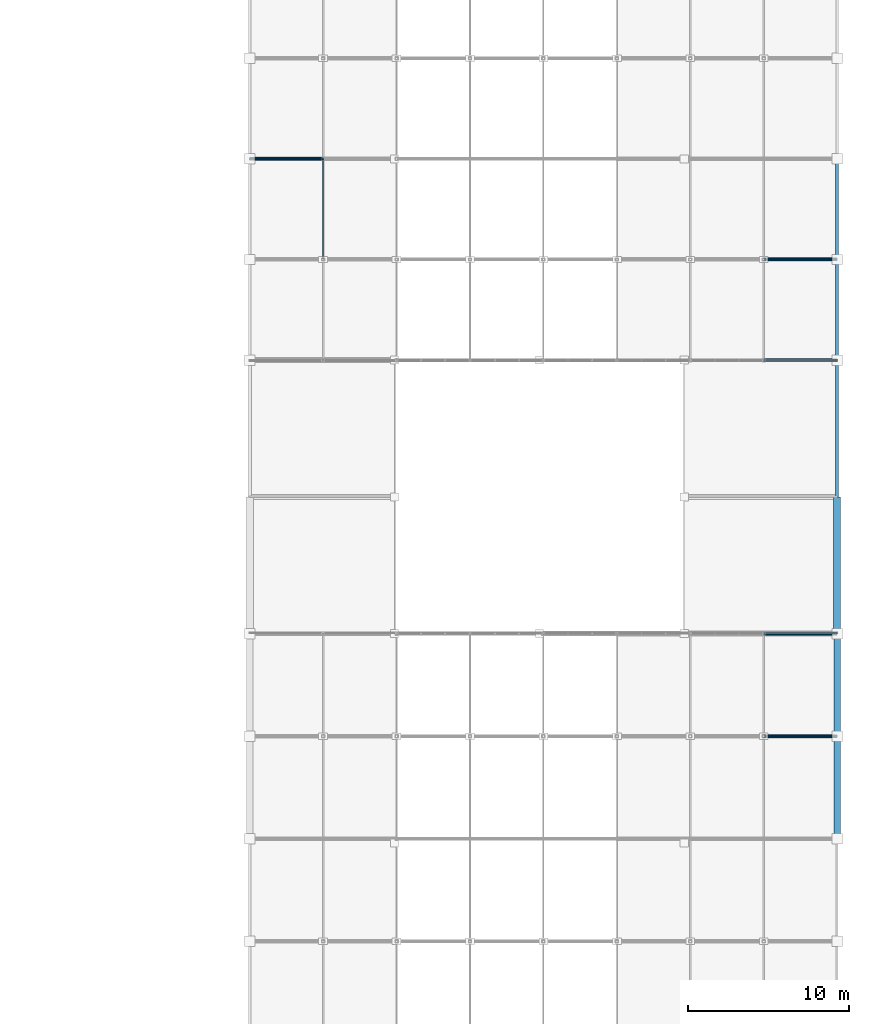
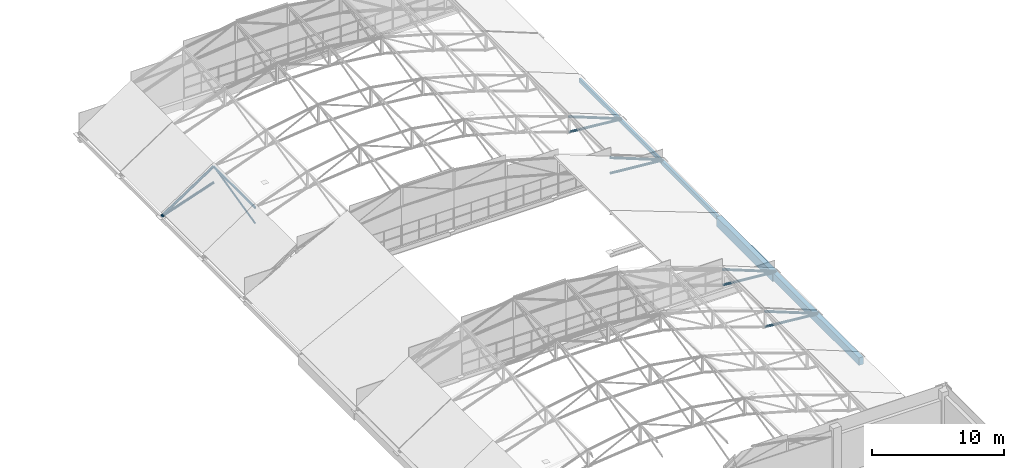
# One storey, part 68 of 101: 12 members, 4 beams.
"""IFC4 building model written with IfcOpenShell, lengths in metres."""

from ifc_helpers import new_model, si_unit, direction, frame, origin, origin_2d, place, context, subcontext, project, spatial, rectangle, hollow_rectangle, hollow_circle, extrude, material, material_profile, profile_set, type_object, element, save


model = new_model("IFC4")

# Units and contexts
model_context = context("Model", 3, precision=1e-05, world=origin(), true_north=direction((0.0, 1.0)))
body_context = subcontext(model_context, "Body", "Model", "MODEL_VIEW")
ifc_project = project(units=[si_unit("LENGTHUNIT", "METRE"), si_unit("AREAUNIT", "SQUARE_METRE"), si_unit("VOLUMEUNIT", "CUBIC_METRE"), si_unit("PLANEANGLEUNIT", "RADIAN"), si_unit("MASSUNIT", "GRAM", prefix="KILO")], contexts=[model_context])

# Site, building, storey
site_placement = place(None, origin())
site = spatial("IfcSite", under=ifc_project, at=site_placement, CompositionType="ELEMENT")
building_placement = place(site_placement, origin())
building = spatial("IfcBuilding", under=site, at=building_placement, Name="Solvikara Media Centre", CompositionType="ELEMENT")
storey_placement = place(building_placement, frame((0.0, 0.0, 10.199951171875)))
storey = spatial("IfcBuildingStorey", under=building, at=storey_placement, Name="L02", CompositionType="ELEMENT", Elevation=10.199951171875)

# Beams
ifc_material_1 = material(Name="Concrete fc' 35 MPa (C35/45)", Category="concrete")
ifc_material_profile_1 = material_profile(ifc_material_1, rectangle(XDim=0.39990234375, YDim=0.699951171875, at=origin_2d()), Name="RC 400x700")
ifc_profile_set_1 = profile_set([ifc_material_profile_1], Name="Concrete fc' 35 MPa (C35/45)")
beam_type_1 = type_object("IfcBeamType", Name="BM-13", PredefinedType="SPANDREL", material=ifc_profile_set_1)
beam_1_placement = place(storey_placement, frame((164.0, 59.0, -0.449951171875), z_axis=(0.0, 1.0, 0.0), x_axis=(-1.0, 0.0, 0.0)))
element("IfcBeam", 1, at=beam_1_placement, inside=storey, type_object=beam_type_1, Name="B-L02-Y1001", PredefinedType="SPANDREL", context=body_context, shape_type="SweptSolid", body=[
    extrude(rectangle(XDim=0.39990234375, YDim=0.699951171875, at=origin_2d()), origin(), (0.0, 0.0, 1.0), 13.0),
])
ifc_material_profile_2 = material_profile(ifc_material_1, rectangle(XDim=0.449951171875, YDim=0.85009765625, at=origin_2d()), Name="RC 450x850")
ifc_profile_set_2 = profile_set([ifc_material_profile_2], Name="Concrete fc' 35 MPa (C35/45)")
beam_type_2 = type_object("IfcBeamType", Name="BM-14", PredefinedType="SPANDREL", material=ifc_profile_set_2)
beam_2_placement = place(storey_placement, frame((164.0, 72.0, -0.52490234375), z_axis=(0.0, 1.0, 0.0), x_axis=(-1.0, 0.0, 0.0)))
element("IfcBeam", 2, at=beam_2_placement, inside=storey, type_object=beam_type_2, Name="B-L02-Y1002", PredefinedType="SPANDREL", context=body_context, shape_type="SweptSolid", body=[
    extrude(rectangle(XDim=0.449951171875, YDim=0.85009765625, at=origin_2d()), origin(), (0.0, 0.0, 1.0), 8.5),
])
ifc_material_2 = material(Name="Steel S355JR", Category="steel")
ifc_material_profile_3 = material_profile(ifc_material_2, hollow_rectangle(XDim=0.199951171875, YDim=0.39990234375, WallThickness=0.011962890625, at=origin_2d()), Name="RHS 400x200x12")
ifc_profile_set_3 = profile_set([ifc_material_profile_3], Name="Steel S355JR")
beam_type_3 = type_object("IfcBeamType", Name="BM-33", PredefinedType="SPANDREL", material=ifc_profile_set_3)
beam_3_placement = place(storey_placement, frame((164.0, 80.5, -0.300048828125), z_axis=(0.0, 1.0, 0.0), x_axis=(-1.0, 0.0, 0.0)))
element("IfcBeam", 3, at=beam_3_placement, inside=storey, type_object=beam_type_3, Name="B-L02-Y1003", PredefinedType="SPANDREL", context=body_context, shape_type="SweptSolid", body=[
    extrude(hollow_rectangle(XDim=0.199951171875, YDim=0.39990234375, WallThickness=0.011962890625, at=origin_2d()), origin(), (0.0, 0.0, 1.0), 8.5),
])
ifc_material_profile_4 = material_profile(ifc_material_2, hollow_rectangle(XDim=0.175048828125, YDim=0.35009765625, WallThickness=0.010009765625, at=origin_2d()), Name="RHS 350x175x10")
ifc_profile_set_4 = profile_set([ifc_material_profile_4], Name="Steel S355JR")
beam_type_4 = type_object("IfcBeamType", Name="BM-34", PredefinedType="SPANDREL", material=ifc_profile_set_4)
beam_4_placement = place(storey_placement, frame((164.0, 89.0, -0.27490234375), z_axis=(0.0, 1.0, 0.0), x_axis=(-1.0, 0.0, 0.0)))
element("IfcBeam", 4, at=beam_4_placement, inside=storey, type_object=beam_type_4, Name="B-L02-Y1004", PredefinedType="SPANDREL", context=body_context, shape_type="SweptSolid", body=[
    extrude(hollow_rectangle(XDim=0.175048828125, YDim=0.35009765625, WallThickness=0.010009765625, at=origin_2d()), origin(), (0.0, 0.0, 1.0), 12.5),
])

# Members
ifc_material_profile_5 = material_profile(ifc_material_2, hollow_circle(Radius=0.109619140625, WallThickness=0.008056640625, at=origin_2d()), Name="CHS 219.1x8")
ifc_profile_set_5 = profile_set([ifc_material_profile_5], Name="Steel S355JR")
member_type_1 = type_object("IfcMemberType", Name="MB-05", PredefinedType="CHORD", material=ifc_profile_set_5)
member_1_placement = place(storey_placement, frame((159.43798828125, 65.625, 1.72412109375), z_axis=(0.930767233936, 0.0, -0.365612303173), x_axis=(0.0, 1.0, 0.0)))
element("IfcMember", 5, at=member_1_placement, inside=storey, type_object=member_type_1, Name="BSA-TC-03-07", PredefinedType="CHORD", context=body_context, shape_type="SweptSolid", body=[
    extrude(hollow_circle(Radius=0.109619140625, WallThickness=0.008056640625, at=origin_2d()), origin(), (0.0, 0.0, 1.0), 4.9013671875),
])
member_2_placement = place(storey_placement, frame((159.43798828125, 65.625, 0.300048828125), z_axis=(0.996179932838, 0.0, -0.087324346034), x_axis=(0.0, 1.0, 0.0)))
element("IfcMember", 6, at=member_2_placement, inside=storey, type_object=member_type_1, Name="BSA-BC-03-07", PredefinedType="CHORD", context=body_context, shape_type="SweptSolid", body=[
    extrude(hollow_circle(Radius=0.109619140625, WallThickness=0.008056640625, at=origin_2d()), origin(), (0.0, 0.0, 1.0), 4.57958984375),
])
member_3_placement = place(storey_placement, frame((159.43798828125, 72.0, 1.72412109375), z_axis=(0.930767233936, 0.0, -0.365612303173), x_axis=(0.0, 1.0, 0.0)))
element("IfcMember", 7, at=member_3_placement, inside=storey, type_object=member_type_1, Name="BSA-TC-04-07", PredefinedType="CHORD", context=body_context, shape_type="SweptSolid", body=[
    extrude(hollow_circle(Radius=0.109619140625, WallThickness=0.008056640625, at=origin_2d()), origin(), (0.0, 0.0, 1.0), 4.9013671875),
])
member_4_placement = place(storey_placement, frame((159.43798828125, 72.0, 0.300048828125), z_axis=(0.996179932838, 0.0, -0.087324346034), x_axis=(0.0, 1.0, 0.0)))
element("IfcMember", 8, at=member_4_placement, inside=storey, type_object=member_type_1, Name="BSA-BC-04-07", PredefinedType="CHORD", context=body_context, shape_type="SweptSolid", body=[
    extrude(hollow_circle(Radius=0.109619140625, WallThickness=0.008056640625, at=origin_2d()), origin(), (0.0, 0.0, 1.0), 4.57958984375),
])
member_5_placement = place(storey_placement, frame((159.43798828125, 89.0, 1.72412109375), z_axis=(0.930767233936, 0.0, -0.365612303173), x_axis=(0.0, 1.0, 0.0)))
element("IfcMember", 9, at=member_5_placement, inside=storey, type_object=member_type_1, Name="BSB-TC-00-07", PredefinedType="CHORD", context=body_context, shape_type="SweptSolid", body=[
    extrude(hollow_circle(Radius=0.109619140625, WallThickness=0.008056640625, at=origin_2d()), origin(), (0.0, 0.0, 1.0), 4.9013671875),
])
member_6_placement = place(storey_placement, frame((159.43798828125, 89.0, 0.300048828125), z_axis=(0.996179932838, 0.0, -0.087324346034), x_axis=(0.0, 1.0, 0.0)))
element("IfcMember", 10, at=member_6_placement, inside=storey, type_object=member_type_1, Name="BSB-BC-00-07", PredefinedType="CHORD", context=body_context, shape_type="SweptSolid", body=[
    extrude(hollow_circle(Radius=0.109619140625, WallThickness=0.008056640625, at=origin_2d()), origin(), (0.0, 0.0, 1.0), 4.57958984375),
])
member_7_placement = place(storey_placement, frame((159.43798828125, 95.25, 1.72412109375), z_axis=(0.930767233936, 0.0, -0.365612303173), x_axis=(0.0, 1.0, 0.0)))
element("IfcMember", 11, at=member_7_placement, inside=storey, type_object=member_type_1, Name="BSB-TC-01-07", PredefinedType="CHORD", context=body_context, shape_type="SweptSolid", body=[
    extrude(hollow_circle(Radius=0.109619140625, WallThickness=0.008056640625, at=origin_2d()), origin(), (0.0, 0.0, 1.0), 4.9013671875),
])
member_8_placement = place(storey_placement, frame((159.43798828125, 95.25, 0.300048828125), z_axis=(0.996179932838, 0.0, -0.087324346034), x_axis=(0.0, 1.0, 0.0)))
element("IfcMember", 12, at=member_8_placement, inside=storey, type_object=member_type_1, Name="BSB-BC-01-07", PredefinedType="CHORD", context=body_context, shape_type="SweptSolid", body=[
    extrude(hollow_circle(Radius=0.109619140625, WallThickness=0.008056640625, at=origin_2d()), origin(), (0.0, 0.0, 1.0), 4.57958984375),
])
member_9_placement = place(storey_placement, frame((127.5, 101.5, -0.06787109375), z_axis=(0.83335162007, 0.0, 0.55274322911), x_axis=(0.0, 1.0, 0.0)))
element("IfcMember", 13, at=member_9_placement, inside=storey, type_object=member_type_1, Name="BSB-TC-02-00", PredefinedType="CHORD", context=body_context, shape_type="SweptSolid", body=[
    extrude(hollow_circle(Radius=0.109619140625, WallThickness=0.008056640625, at=origin_2d()), origin(), (0.0, 0.0, 1.0), 5.474365234375),
])
member_10_placement = place(storey_placement, frame((127.5, 101.5, -0.099853515625), z_axis=(0.946343434254, 0.0, 0.323162659423), x_axis=(0.0, 1.0, 0.0)))
element("IfcMember", 14, at=member_10_placement, inside=storey, type_object=member_type_1, Name="BSB-BC-02-00", PredefinedType="CHORD", context=body_context, shape_type="SweptSolid", body=[
    extrude(hollow_circle(Radius=0.109619140625, WallThickness=0.008056640625, at=origin_2d()), origin(), (0.0, 0.0, 1.0), 4.820556640625),
])
ifc_material_profile_6 = material_profile(ifc_material_2, hollow_rectangle(XDim=0.10009765625, YDim=0.179931640625, WallThickness=0.0048828125, at=origin_2d()), Name="RHS 180x100x5")
ifc_profile_set_6 = profile_set([ifc_material_profile_6], Name="Steel S355JR")
member_type_2 = type_object("IfcMemberType", Name="MB-18", PredefinedType="PURLIN", material=ifc_profile_set_6)
member_11_placement = place(storey_placement, frame((132.06201171875, 95.25, 2.89306640625), z_axis=(0.0, 1.0, 0.0), x_axis=(-1.0, 0.0, 0.0)))
element("IfcMember", 15, at=member_11_placement, inside=storey, type_object=member_type_2, Name="BSB-PRL-01-01", PredefinedType="PURLIN", context=body_context, shape_type="SweptSolid", body=[
    extrude(hollow_rectangle(XDim=0.10009765625, YDim=0.179931640625, WallThickness=0.0048828125, at=origin_2d()), origin(), (0.0, 0.0, 1.0), 6.25),
])
ifc_material_profile_7 = material_profile(ifc_material_2, hollow_rectangle(XDim=0.080078125, YDim=0.14990234375, WallThickness=0.0048828125, at=origin_2d()), Name="RHS 150x80x5")
ifc_profile_set_7 = profile_set([ifc_material_profile_7], Name="Steel S355JR")
member_type_3 = type_object("IfcMemberType", Name="MB-27", PredefinedType="PURLIN", material=ifc_profile_set_7)
member_12_placement = place(storey_placement, frame((132.06201171875, 95.25, 1.4580078125), z_axis=(0.0, 0.973607860399, 0.228227373838), x_axis=(-1.0, 0.0, 0.0)))
element("IfcMember", 16, at=member_12_placement, inside=storey, type_object=member_type_3, Name="BSB-3D-01-01", PredefinedType="PURLIN", context=body_context, shape_type="SweptSolid", body=[
    extrude(hollow_rectangle(XDim=0.080078125, YDim=0.14990234375, WallThickness=0.0048828125, at=origin_2d()), origin(), (0.0, 0.0, 1.0), 6.41943359375),
])

save(model, "model.ifc")
